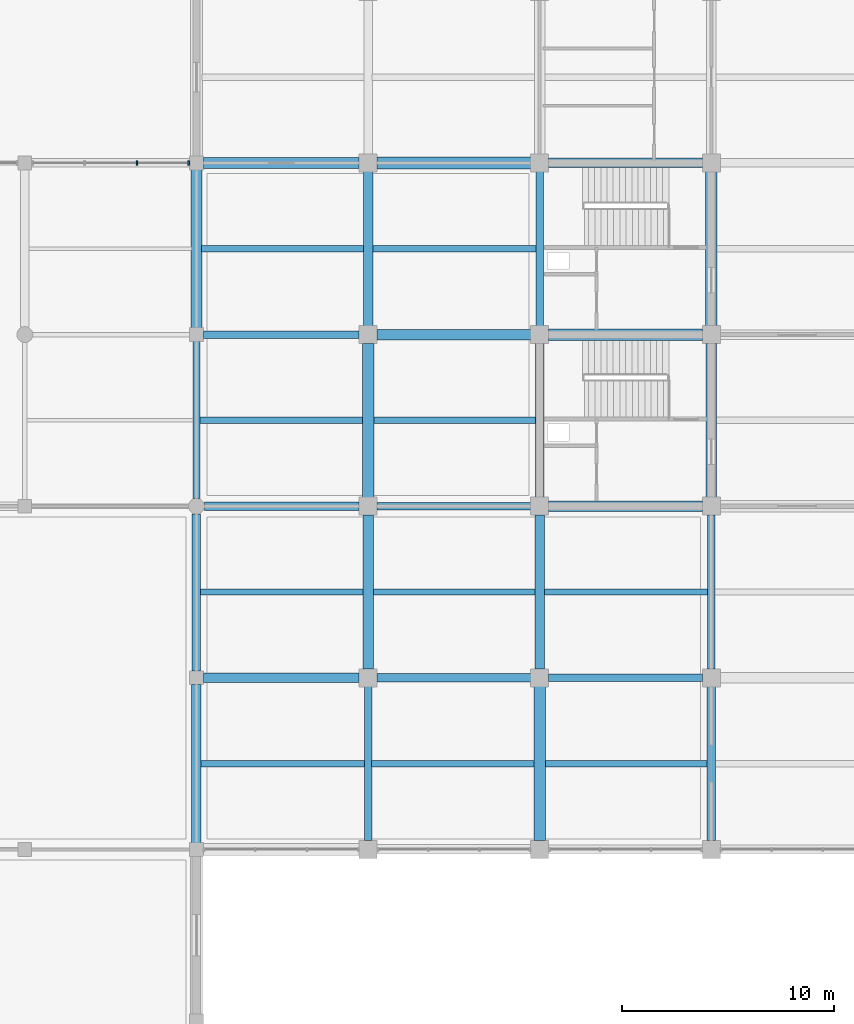
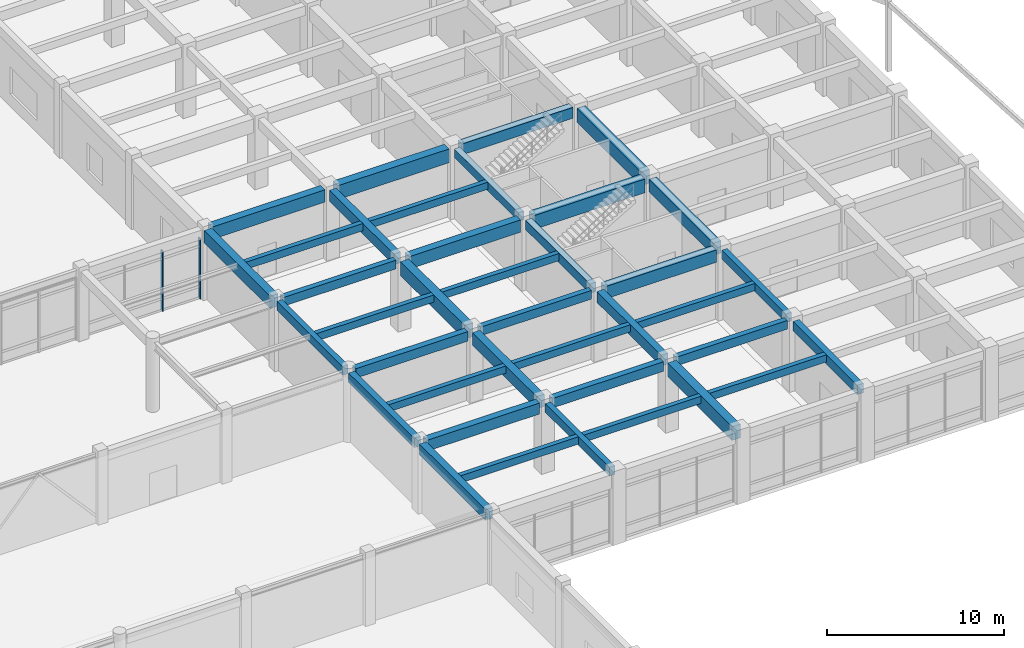
# One storey, part 39 of 99: 38 beams, 2 members, 1 element without a shape of its own.
"""IFC4 building model written with IfcOpenShell, lengths in metres."""

from ifc_helpers import new_model, si_unit, direction, frame, origin, origin_2d, place, context, subcontext, project, spatial, rectangle, extrude, material, layer, layer_set, material_profile, profile_set, type_object, element, aggregate, save


model = new_model("IFC4")

# Units and contexts
model_context = context("Model", 3, precision=1e-05, world=origin(), true_north=direction((0.0, 1.0)))
body_context = subcontext(model_context, "Body", "Model", "MODEL_VIEW")
ifc_project = project(units=[si_unit("LENGTHUNIT", "METRE"), si_unit("AREAUNIT", "SQUARE_METRE"), si_unit("VOLUMEUNIT", "CUBIC_METRE"), si_unit("PLANEANGLEUNIT", "RADIAN"), si_unit("MASSUNIT", "GRAM", prefix="KILO")], contexts=[model_context])

# Site, building, storey
site_placement = place(None, origin())
site = spatial("IfcSite", under=ifc_project, at=site_placement, CompositionType="ELEMENT")
building_placement = place(site_placement, origin())
building = spatial("IfcBuilding", under=site, at=building_placement, Name="Vaudrelin Polytechnic", CompositionType="ELEMENT")
storey_placement = place(building_placement, origin())
storey = spatial("IfcBuildingStorey", under=building, at=storey_placement, Name="L00", CompositionType="ELEMENT", Elevation=0.0)

# Beams
ifc_material_1 = material(Name="Concrete 40 MPa", Category="concrete")
ifc_material_profile_1 = material_profile(ifc_material_1, rectangle(XDim=0.35009765625, YDim=0.60009765625, at=origin_2d()), Name="RC350x600")
ifc_profile_set_1 = profile_set([ifc_material_profile_1], Name="Concrete 40 MPa")
beam_type_1 = type_object("IfcBeamType", Name="BM-BM-RC3560", PredefinedType="BEAM", material=ifc_profile_set_1)
beam_1_placement = place(storey_placement, frame((129.60009765625, 32.760009765625, 4.52001953125), z_axis=(0.0, 1.0, 0.0), x_axis=(-1.0, 0.0, 0.0)))
element("IfcBeam", 1, at=beam_1_placement, inside=storey, type_object=beam_type_1, Name="L00 Y-beam 17-5", PredefinedType="BEAM", context=body_context, shape_type="SweptSolid", body=[
    extrude(rectangle(XDim=0.35009765625, YDim=0.60009765625, at=origin_2d()), origin(), (0.0, 0.0, 1.0), 7.429931640625),
])
beam_2_placement = place(storey_placement, frame((137.699951171875, 16.610107421875, 4.52001953125), z_axis=(0.0, 1.0, 0.0), x_axis=(-1.0, 0.0, 0.0)))
element("IfcBeam", 2, at=beam_2_placement, inside=storey, type_object=beam_type_1, Name="L00 Y-beam 18-3", PredefinedType="BEAM", context=body_context, shape_type="SweptSolid", body=[
    extrude(rectangle(XDim=0.35009765625, YDim=0.60009765625, at=origin_2d()), origin(), (0.0, 0.0, 1.0), 7.27978515625),
])
for number, where, z_axis, x_axis, name in (
    (3, (145.800048828125, 40.909912109375, 4.52001953125), (0.0, 1.0, 0.0), (-1.0, 0.0, 0.0), "L00 Y-beam 19-6"),
    (4, (153.89990234375, 24.7099609375, 4.52001953125), (0.0, 1.0, 0.0), (-1.0, 0.0, 0.0), "L00 Y-beam 20-4"),
):
    element("IfcBeam", number, at=place(storey_placement, frame(where, z_axis=z_axis, x_axis=x_axis)), inside=storey, type_object=beam_type_1, Name=name, PredefinedType="BEAM", context=body_context, shape_type="SweptSolid", body=[
        extrude(rectangle(XDim=0.35009765625, YDim=0.60009765625, at=origin_2d()), origin(), (0.0, 0.0, 1.0), 7.280029296875),
    ])
beam_3_placement = place(storey_placement, frame((129.9208984375, 40.5, 4.52001953125), z_axis=(1.0, 0.0, 0.0), x_axis=(0.0, 1.0, 0.0)))
element("IfcBeam", 5, at=beam_3_placement, inside=storey, type_object=beam_type_1, Name="L00 X-beam 17-6", PredefinedType="BEAM", context=body_context, shape_type="SweptSolid", body=[
    extrude(rectangle(XDim=0.35009765625, YDim=0.60009765625, at=origin_2d()), origin(), (0.0, 0.0, 1.0), 7.358154296875),
])
beam_4_placement = place(storey_placement, frame((138.12109375, 32.39990234375, 4.52001953125), z_axis=(1.0, 0.0, 0.0), x_axis=(0.0, 1.0, 0.0)))
element("IfcBeam", 6, at=beam_4_placement, inside=storey, type_object=beam_type_1, Name="L00 X-beam 18-5", PredefinedType="BEAM", context=body_context, shape_type="SweptSolid", body=[
    extrude(rectangle(XDim=0.35009765625, YDim=0.60009765625, at=origin_2d()), origin(), (0.0, 0.0, 1.0), 7.2578125),
])
beam_5_placement = place(storey_placement, frame((146.220947265625, 24.300048828125, 4.52001953125), z_axis=(1.0, 0.0, 0.0), x_axis=(0.0, 1.0, 0.0)))
element("IfcBeam", 7, at=beam_5_placement, inside=storey, type_object=beam_type_1, Name="L00 X-beam 19-4", PredefinedType="BEAM", context=body_context, shape_type="SweptSolid", body=[
    extrude(rectangle(XDim=0.35009765625, YDim=0.60009765625, at=origin_2d()), origin(), (0.0, 0.0, 1.0), 7.258056640625),
])
ifc_material_profile_2 = material_profile(ifc_material_1, rectangle(XDim=0.39990234375, YDim=0.64990234375, at=origin_2d()), Name="RC400x650")
ifc_profile_set_2 = profile_set([ifc_material_profile_2], Name="Concrete 40 MPa")
beam_type_2 = type_object("IfcBeamType", Name="BM-BM-RC4065", PredefinedType="BEAM", material=ifc_profile_set_2)
beam_6_placement = place(storey_placement, frame((129.60009765625, 24.610107421875, 4.4951171875), z_axis=(0.0, 1.0, 0.0), x_axis=(-1.0, 0.0, 0.0)))
element("IfcBeam", 8, at=beam_6_placement, inside=storey, type_object=beam_type_2, Name="L00 Y-beam 17-4", PredefinedType="BEAM", context=body_context, shape_type="SweptSolid", body=[
    extrude(rectangle(XDim=0.39990234375, YDim=0.64990234375, at=origin_2d()), origin(), (0.0, 0.0, 1.0), 7.429931640625),
])
beam_7_placement = place(storey_placement, frame((145.800048828125, 32.81005859375, 4.4951171875), z_axis=(0.0, 1.0, 0.0), x_axis=(-1.0, 0.0, 0.0)))
element("IfcBeam", 9, at=beam_7_placement, inside=storey, type_object=beam_type_2, Name="L00 Y-beam 19-5", PredefinedType="BEAM", context=body_context, shape_type="SweptSolid", body=[
    extrude(rectangle(XDim=0.39990234375, YDim=0.64990234375, at=origin_2d()), origin(), (0.0, 0.0, 1.0), 7.280029296875),
])
beam_8_placement = place(storey_placement, frame((153.89990234375, 16.610107421875, 4.4951171875), z_axis=(0.0, 1.0, 0.0), x_axis=(-1.0, 0.0, 0.0)))
element("IfcBeam", 10, at=beam_8_placement, inside=storey, type_object=beam_type_2, Name="L00 Y-beam 20-3", PredefinedType="BEAM", context=body_context, shape_type="SweptSolid", body=[
    extrude(rectangle(XDim=0.39990234375, YDim=0.64990234375, at=origin_2d()), origin(), (0.0, 0.0, 1.0), 7.27978515625),
])
beam_9_placement = place(storey_placement, frame((129.970947265625, 32.39990234375, 4.4951171875), z_axis=(1.0, 0.0, 0.0), x_axis=(0.0, 1.0, 0.0)))
element("IfcBeam", 11, at=beam_9_placement, inside=storey, type_object=beam_type_2, Name="L00 X-beam 17-5", PredefinedType="BEAM", context=body_context, shape_type="SweptSolid", body=[
    extrude(rectangle(XDim=0.39990234375, YDim=0.64990234375, at=origin_2d()), origin(), (0.0, 0.0, 1.0), 7.30810546875),
])
beam_10_placement = place(storey_placement, frame((138.12109375, 24.300048828125, 4.4951171875), z_axis=(1.0, 0.0, 0.0), x_axis=(0.0, 1.0, 0.0)))
element("IfcBeam", 12, at=beam_10_placement, inside=storey, type_object=beam_type_2, Name="L00 X-beam 18-4", PredefinedType="BEAM", context=body_context, shape_type="SweptSolid", body=[
    extrude(rectangle(XDim=0.39990234375, YDim=0.64990234375, at=origin_2d()), origin(), (0.0, 0.0, 1.0), 7.2578125),
])
ifc_material_profile_3 = material_profile(ifc_material_1, rectangle(XDim=0.449951171875, YDim=0.75, at=origin_2d()), Name="RC450x750")
ifc_profile_set_3 = profile_set([ifc_material_profile_3], Name="Concrete 40 MPa")
beam_type_3 = type_object("IfcBeamType", Name="BM-BM-RC4575", PredefinedType="BEAM", material=ifc_profile_set_3)
beam_11_placement = place(storey_placement, frame((129.60009765625, 16.510009765625, 4.445068359375), z_axis=(0.0, 1.0, 0.0), x_axis=(-1.0, 0.0, 0.0)))
element("IfcBeam", 13, at=beam_11_placement, inside=storey, type_object=beam_type_3, Name="L00 Y-beam 17-3", PredefinedType="BEAM", context=body_context, shape_type="SweptSolid", body=[
    extrude(rectangle(XDim=0.449951171875, YDim=0.75, at=origin_2d()), origin(), (0.0, 0.0, 1.0), 7.47998046875),
])
for number, where, z_axis, x_axis, name in (
    (14, (137.699951171875, 40.909912109375, 4.445068359375), (0.0, 1.0, 0.0), (-1.0, 0.0, 0.0), "L00 Y-beam 18-6"),
    (15, (145.800048828125, 24.7099609375, 4.445068359375), (0.0, 1.0, 0.0), (-1.0, 0.0, 0.0), "L00 Y-beam 19-4"),
):
    element("IfcBeam", number, at=place(storey_placement, frame(where, z_axis=z_axis, x_axis=x_axis)), inside=storey, type_object=beam_type_3, Name=name, PredefinedType="BEAM", context=body_context, shape_type="SweptSolid", body=[
        extrude(rectangle(XDim=0.449951171875, YDim=0.75, at=origin_2d()), origin(), (0.0, 0.0, 1.0), 7.280029296875),
    ])
beam_12_placement = place(storey_placement, frame((129.9208984375, 24.300048828125, 4.445068359375), z_axis=(1.0, 0.0, 0.0), x_axis=(0.0, 1.0, 0.0)))
element("IfcBeam", 16, at=beam_12_placement, inside=storey, type_object=beam_type_3, Name="L00 X-beam 17-4", PredefinedType="BEAM", context=body_context, shape_type="SweptSolid", body=[
    extrude(rectangle(XDim=0.449951171875, YDim=0.75, at=origin_2d()), origin(), (0.0, 0.0, 1.0), 7.358154296875),
])
beam_13_placement = place(storey_placement, frame((146.220947265625, 48.60009765625, 4.445068359375), z_axis=(1.0, 0.0, 0.0), x_axis=(0.0, 1.0, 0.0)))
element("IfcBeam", 17, at=beam_13_placement, inside=storey, type_object=beam_type_3, Name="L00 X-beam 19-7", PredefinedType="BEAM", context=body_context, shape_type="SweptSolid", body=[
    extrude(rectangle(XDim=0.449951171875, YDim=0.75, at=origin_2d()), origin(), (0.0, 0.0, 1.0), 7.258056640625),
])
ifc_material_profile_4 = material_profile(ifc_material_1, rectangle(XDim=0.5, YDim=0.85009765625, at=origin_2d()), Name="RC500x850")
ifc_profile_set_4 = profile_set([ifc_material_profile_4], Name="Concrete 40 MPa")
beam_type_4 = type_object("IfcBeamType", Name="BM-BM-RC5085", PredefinedType="BEAM", material=ifc_profile_set_4)
beam_14_placement = place(storey_placement, frame((129.60009765625, 40.81005859375, 4.39501953125), z_axis=(0.0, 1.0, 0.0), x_axis=(-1.0, 0.0, 0.0)))
element("IfcBeam", 18, at=beam_14_placement, inside=storey, type_object=beam_type_4, Name="L00 Y-beam 17-6", PredefinedType="BEAM", context=body_context, shape_type="SweptSolid", body=[
    extrude(rectangle(XDim=0.5, YDim=0.85009765625, at=origin_2d()), origin(), (0.0, 0.0, 1.0), 7.47998046875),
])
for number, where, z_axis, x_axis, name in (
    (19, (137.699951171875, 24.7099609375, 4.39501953125), (0.0, 1.0, 0.0), (-1.0, 0.0, 0.0), "L00 Y-beam 18-4"),
    (20, (153.89990234375, 32.81005859375, 4.39501953125), (0.0, 1.0, 0.0), (-1.0, 0.0, 0.0), "L00 Y-beam 20-5"),
):
    element("IfcBeam", number, at=place(storey_placement, frame(where, z_axis=z_axis, x_axis=x_axis)), inside=storey, type_object=beam_type_4, Name=name, PredefinedType="BEAM", context=body_context, shape_type="SweptSolid", body=[
        extrude(rectangle(XDim=0.5, YDim=0.85009765625, at=origin_2d()), origin(), (0.0, 0.0, 1.0), 7.280029296875),
    ])
beam_15_placement = place(storey_placement, frame((129.9208984375, 48.60009765625, 4.39501953125), z_axis=(1.0, 0.0, 0.0), x_axis=(0.0, 1.0, 0.0)))
element("IfcBeam", 21, at=beam_15_placement, inside=storey, type_object=beam_type_4, Name="L00 X-beam 17-7", PredefinedType="BEAM", context=body_context, shape_type="SweptSolid", body=[
    extrude(rectangle(XDim=0.5, YDim=0.85009765625, at=origin_2d()), origin(), (0.0, 0.0, 1.0), 7.358154296875),
])
beam_16_placement = place(storey_placement, frame((138.12109375, 40.5, 4.39501953125), z_axis=(1.0, 0.0, 0.0), x_axis=(0.0, 1.0, 0.0)))
element("IfcBeam", 22, at=beam_16_placement, inside=storey, type_object=beam_type_4, Name="L00 X-beam 18-6", PredefinedType="BEAM", context=body_context, shape_type="SweptSolid", body=[
    extrude(rectangle(XDim=0.5, YDim=0.85009765625, at=origin_2d()), origin(), (0.0, 0.0, 1.0), 7.2578125),
])
beam_17_placement = place(storey_placement, frame((146.220947265625, 32.39990234375, 4.39501953125), z_axis=(1.0, 0.0, 0.0), x_axis=(0.0, 1.0, 0.0)))
element("IfcBeam", 23, at=beam_17_placement, inside=storey, type_object=beam_type_4, Name="L00 X-beam 19-5", PredefinedType="BEAM", context=body_context, shape_type="SweptSolid", body=[
    extrude(rectangle(XDim=0.5, YDim=0.85009765625, at=origin_2d()), origin(), (0.0, 0.0, 1.0), 7.258056640625),
])
ifc_material_2 = material(Name="Concrete 50 MPa", Category="concrete")
ifc_material_profile_5 = material_profile(ifc_material_2, rectangle(XDim=0.550048828125, YDim=0.949951171875, at=origin_2d()), Name="RC550x950")
ifc_profile_set_5 = profile_set([ifc_material_profile_5], Name="Concrete 50 MPa")
beam_type_5 = type_object("IfcBeamType", Name="BM-BM-RC5595", PredefinedType="BEAM", material=ifc_profile_set_5)
beam_18_placement = place(storey_placement, frame((137.699951171875, 32.81005859375, 4.344970703125), z_axis=(0.0, 1.0, 0.0), x_axis=(-1.0, 0.0, 0.0)))
element("IfcBeam", 24, at=beam_18_placement, inside=storey, type_object=beam_type_5, Name="L00 Y-beam 18-5", PredefinedType="BEAM", context=body_context, shape_type="SweptSolid", body=[
    extrude(rectangle(XDim=0.550048828125, YDim=0.949951171875, at=origin_2d()), origin(), (0.0, 0.0, 1.0), 7.280029296875),
])
beam_19_placement = place(storey_placement, frame((145.800048828125, 16.610107421875, 4.344970703125), z_axis=(0.0, 1.0, 0.0), x_axis=(-1.0, 0.0, 0.0)))
element("IfcBeam", 25, at=beam_19_placement, inside=storey, type_object=beam_type_5, Name="L00 Y-beam 19-3", PredefinedType="BEAM", context=body_context, shape_type="SweptSolid", body=[
    extrude(rectangle(XDim=0.550048828125, YDim=0.949951171875, at=origin_2d()), origin(), (0.0, 0.0, 1.0), 7.27978515625),
])
beam_20_placement = place(storey_placement, frame((153.89990234375, 40.909912109375, 4.344970703125), z_axis=(0.0, 1.0, 0.0), x_axis=(-1.0, 0.0, 0.0)))
element("IfcBeam", 26, at=beam_20_placement, inside=storey, type_object=beam_type_5, Name="L00 Y-beam 20-6", PredefinedType="BEAM", context=body_context, shape_type="SweptSolid", body=[
    extrude(rectangle(XDim=0.550048828125, YDim=0.949951171875, at=origin_2d()), origin(), (0.0, 0.0, 1.0), 7.280029296875),
])
beam_21_placement = place(storey_placement, frame((138.12109375, 48.60009765625, 4.344970703125), z_axis=(1.0, 0.0, 0.0), x_axis=(0.0, 1.0, 0.0)))
element("IfcBeam", 27, at=beam_21_placement, inside=storey, type_object=beam_type_5, Name="L00 X-beam 18-7", PredefinedType="BEAM", context=body_context, shape_type="SweptSolid", body=[
    extrude(rectangle(XDim=0.550048828125, YDim=0.949951171875, at=origin_2d()), origin(), (0.0, 0.0, 1.0), 7.2578125),
])
beam_22_placement = place(storey_placement, frame((146.220947265625, 40.5, 4.344970703125), z_axis=(1.0, 0.0, 0.0), x_axis=(0.0, 1.0, 0.0)))
element("IfcBeam", 28, at=beam_22_placement, inside=storey, type_object=beam_type_5, Name="L00 X-beam 19-6", PredefinedType="BEAM", context=body_context, shape_type="SweptSolid", body=[
    extrude(rectangle(XDim=0.550048828125, YDim=0.949951171875, at=origin_2d()), origin(), (0.0, 0.0, 1.0), 7.258056640625),
])
ifc_material_profile_6 = material_profile(ifc_material_1, rectangle(XDim=0.300048828125, YDim=0.5, at=origin_2d()), Name="RC300x500")
ifc_profile_set_6 = profile_set([ifc_material_profile_6], Name="Concrete 40 MPa")
beam_type_6 = type_object("IfcBeamType", Name="BM-JS-RC3050", PredefinedType="JOIST", material=ifc_profile_set_6)
beam_23_placement = place(storey_placement, frame((129.821044921875, 20.25, 4.570068359375), z_axis=(1.0, 0.0, 0.0), x_axis=(0.0, 1.0, 0.0)))
element("IfcBeam", 29, at=beam_23_placement, inside=storey, type_object=beam_type_6, Name="L00 floor joist 17-3", PredefinedType="JOIST", context=body_context, shape_type="SweptSolid", body=[
    extrude(rectangle(XDim=0.300048828125, YDim=0.5, at=origin_2d()), origin(), (0.0, 0.0, 1.0), 7.7080078125),
])
beam_24_placement = place(storey_placement, frame((129.7958984375, 28.35009765625, 4.570068359375), z_axis=(1.0, 0.0, 0.0), x_axis=(0.0, 1.0, 0.0)))
element("IfcBeam", 30, at=beam_24_placement, inside=storey, type_object=beam_type_6, Name="L00 floor joist 17-4", PredefinedType="JOIST", context=body_context, shape_type="SweptSolid", body=[
    extrude(rectangle(XDim=0.300048828125, YDim=0.5, at=origin_2d()), origin(), (0.0, 0.0, 1.0), 7.658203125),
])
beam_25_placement = place(storey_placement, frame((129.77099609375, 36.449951171875, 4.570068359375), z_axis=(1.0, 0.0, 0.0), x_axis=(0.0, 1.0, 0.0)))
element("IfcBeam", 31, at=beam_25_placement, inside=storey, type_object=beam_type_6, Name="L00 floor joist 17-5", PredefinedType="JOIST", context=body_context, shape_type="SweptSolid", body=[
    extrude(rectangle(XDim=0.300048828125, YDim=0.5, at=origin_2d()), origin(), (0.0, 0.0, 1.0), 7.657958984375),
])
beam_26_placement = place(storey_placement, frame((129.845947265625, 44.550048828125, 4.570068359375), z_axis=(1.0, 0.0, 0.0), x_axis=(0.0, 1.0, 0.0)))
element("IfcBeam", 32, at=beam_26_placement, inside=storey, type_object=beam_type_6, Name="L00 floor joist 17-6", PredefinedType="JOIST", context=body_context, shape_type="SweptSolid", body=[
    extrude(rectangle(XDim=0.300048828125, YDim=0.5, at=origin_2d()), origin(), (0.0, 0.0, 1.0), 7.633056640625),
])
beam_27_placement = place(storey_placement, frame((137.87109375, 20.25, 4.570068359375), z_axis=(1.0, 0.0, 0.0), x_axis=(0.0, 1.0, 0.0)))
element("IfcBeam", 33, at=beam_27_placement, inside=storey, type_object=beam_type_6, Name="L00 floor joist 18-3", PredefinedType="JOIST", context=body_context, shape_type="SweptSolid", body=[
    extrude(rectangle(XDim=0.300048828125, YDim=0.5, at=origin_2d()), origin(), (0.0, 0.0, 1.0), 7.657958984375),
])
for number, where, z_axis, x_axis, name in (
    (34, (137.946044921875, 28.35009765625, 4.570068359375), (1.0, 0.0, 0.0), (0.0, 1.0, 0.0), "L00 floor joist 18-4"),
    (35, (137.970947265625, 36.449951171875, 4.570068359375), (1.0, 0.0, 0.0), (0.0, 1.0, 0.0), "L00 floor joist 18-5"),
):
    element("IfcBeam", number, at=place(storey_placement, frame(where, z_axis=z_axis, x_axis=x_axis)), inside=storey, type_object=beam_type_6, Name=name, PredefinedType="JOIST", context=body_context, shape_type="SweptSolid", body=[
        extrude(rectangle(XDim=0.300048828125, YDim=0.5, at=origin_2d()), origin(), (0.0, 0.0, 1.0), 7.633056640625),
    ])
beam_28_placement = place(storey_placement, frame((137.9208984375, 44.550048828125, 4.570068359375), z_axis=(1.0, 0.0, 0.0), x_axis=(0.0, 1.0, 0.0)))
element("IfcBeam", 36, at=beam_28_placement, inside=storey, type_object=beam_type_6, Name="L00 floor joist 18-6", PredefinedType="JOIST", context=body_context, shape_type="SweptSolid", body=[
    extrude(rectangle(XDim=0.300048828125, YDim=0.5, at=origin_2d()), origin(), (0.0, 0.0, 1.0), 7.7080078125),
])
beam_29_placement = place(storey_placement, frame((146.071044921875, 20.25, 4.570068359375), z_axis=(1.0, 0.0, 0.0), x_axis=(0.0, 1.0, 0.0)))
element("IfcBeam", 37, at=beam_29_placement, inside=storey, type_object=beam_type_6, Name="L00 floor joist 19-3", PredefinedType="JOIST", context=body_context, shape_type="SweptSolid", body=[
    extrude(rectangle(XDim=0.300048828125, YDim=0.5, at=origin_2d()), origin(), (0.0, 0.0, 1.0), 7.633056640625),
])
beam_30_placement = place(storey_placement, frame((146.02099609375, 28.35009765625, 4.570068359375), z_axis=(1.0, 0.0, 0.0), x_axis=(0.0, 1.0, 0.0)))
element("IfcBeam", 38, at=beam_30_placement, inside=storey, type_object=beam_type_6, Name="L00 floor joist 19-4", PredefinedType="JOIST", context=body_context, shape_type="SweptSolid", body=[
    extrude(rectangle(XDim=0.300048828125, YDim=0.5, at=origin_2d()), origin(), (0.0, 0.0, 1.0), 7.7080078125),
])

# Curtain wall, members
ifc_material_3 = material(Name="Thermally broken anodised aluminium AA 6063-T6 and low-e triple glazing", Category="aluminium")
ifc_layer = layer(ifc_material_3, 0.199951171875)
ifc_layer_set = layer_set([ifc_layer], Name="Thermally broken anodised aluminium AA 6063-T6 and low-e triple glazing")
curtain_wall_type = type_object("IfcCurtainWallType", Name="CW-CW-WG", PredefinedType="USERDEFINED", material=ifc_layer_set)
curtain_wall_placement = place(storey_placement, origin())
curtain_wall = element("IfcCurtainWall", 39, at=curtain_wall_placement, inside=storey, type_object=curtain_wall_type, Name="Curtain wall L00 CT_S_10", ObjectType="CURTAIN WALL", PredefinedType="USERDEFINED")
ifc_material_4 = material(Name="Anodised aluminium AA 6063-T6", Category="aluminium")
ifc_material_profile_7 = material_profile(ifc_material_4, rectangle(XDim=0.074951171875, YDim=0.219970703125, at=origin_2d()), Name="CWM-75x220")
ifc_profile_set_7 = profile_set([ifc_material_profile_7], Name="Anodised aluminium AA 6063-T6")
member_type = type_object("IfcMemberType", Name="MEM-CWM-220", PredefinedType="MULLION", material=ifc_profile_set_7)
member_1_placement = place(storey_placement, frame((126.792236328125, 48.60009765625, 0.0), z_axis=(0.0, 0.0, 1.0), x_axis=(1.0, 0.0, 0.0)))
member_1 = element("IfcMember", 40, at=member_1_placement, type_object=member_type, Name="CT_S_10 mullion 3", PredefinedType="MULLION", context=body_context, shape_type="SweptSolid", body=[
    extrude(rectangle(XDim=0.074951171875, YDim=0.219970703125, at=origin_2d()), origin(), (0.0, 0.0, 1.0), 4.172119140625),
])
member_2_placement = place(storey_placement, frame((129.237060546875, 48.60009765625, 0.0), z_axis=(0.0, 0.0, 1.0), x_axis=(1.0, 0.0, 0.0)))
member_2 = element("IfcMember", 41, at=member_2_placement, type_object=member_type, Name="CT_S_10 mullion 4", PredefinedType="MULLION", context=body_context, shape_type="SweptSolid", body=[
    extrude(rectangle(XDim=0.074951171875, YDim=0.219970703125, at=origin_2d()), origin(), (0.0, 0.0, 1.0), 4.172119140625),
])
aggregate(curtain_wall, [member_1, member_2])

save(model, "model.ifc")
